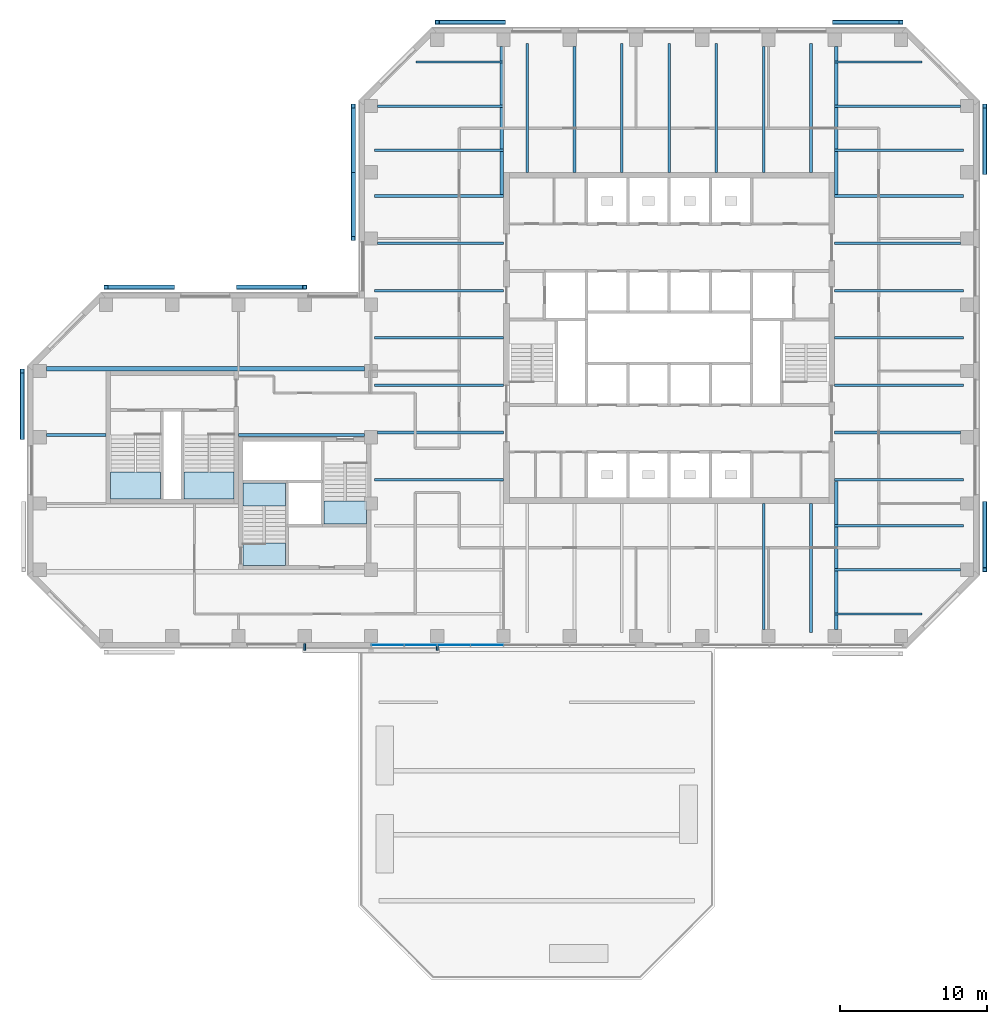
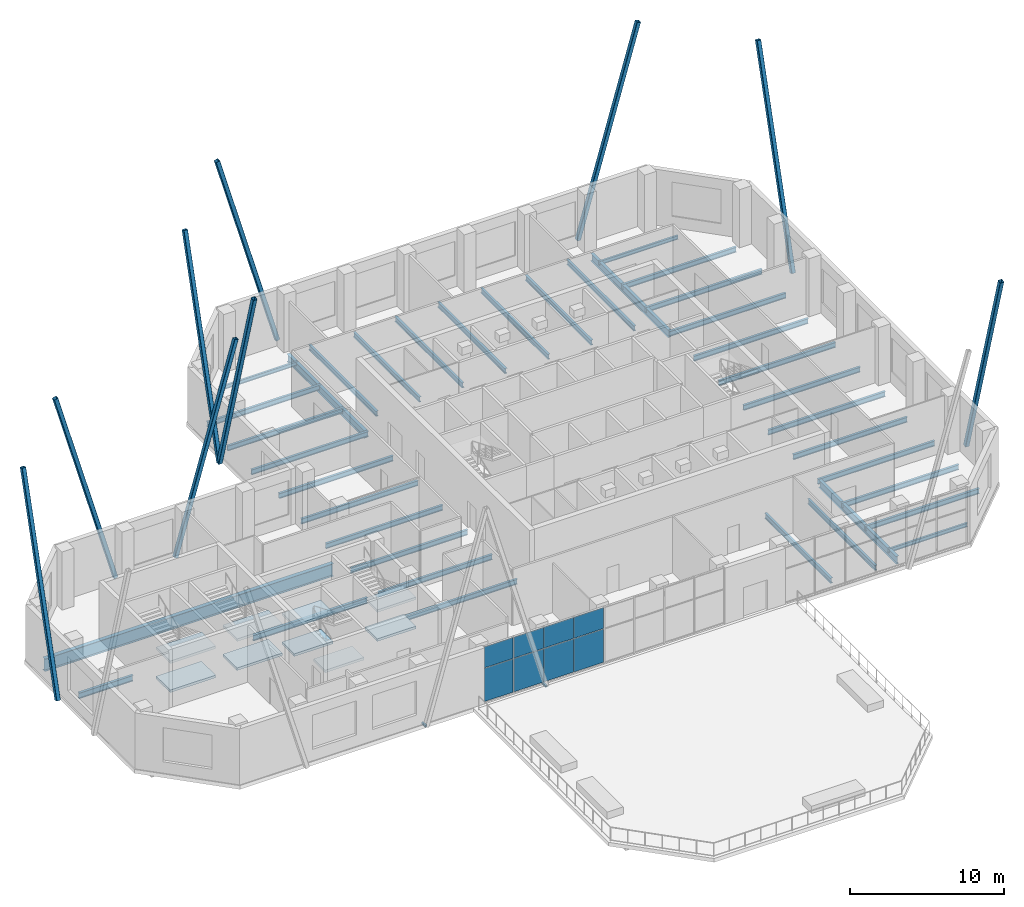
# One storey, part 5 of 14: 40 beams, 9 members, 9 slabs, 8 plates, 5 elements without a shape of their own.
"""IFC4 building model written with IfcOpenShell, lengths in metres."""

import ifcopenshell
import ifcopenshell.guid

model = None  # the IFC model being written
_history = None  # IfcOwnerHistory: only IFC2X3 demands one
_inside = {}  # id of a spatial element -> (the spatial element, [elements in it])
_under = {}  # id of a project, library or spatial element -> (it, [spatial elements below it])
_declared = {}  # id of a project -> (the project, [libraries it declares])
_typed = {}  # id of a type object -> (the type object, [elements of that type])
_made_of = {}  # id of a material, layer set ... -> (it, [elements and type objects made of it])


def new_model(schema):
    """Start an empty IFC model of exactly this schema.

    Asked for "IFC4X3", IfcOpenShell would pick the latest addendum, in which some entities
    have other attributes; the version numbers below select the first issue.
    IFC2X3 requires an IfcOwnerHistory on every rooted entity: one is made here for all.
    """
    global model, _history
    if schema == "IFC4X3":
        model = ifcopenshell.file(schema_version=(4, 3, 0, 0))
    else:
        model = ifcopenshell.file(schema=schema)
    _inside.clear()
    _under.clear()
    _declared.clear()
    _typed.clear()
    _made_of.clear()
    _history = None
    if model.schema == "IFC2X3":
        org = make("IfcOrganization", Name="unknown")
        user = make(
            "IfcPersonAndOrganization",
            ThePerson=make("IfcPerson", FamilyName="unknown"),
            TheOrganization=org,
        )
        app = make(
            "IfcApplication",
            ApplicationDeveloper=org,
            Version="unknown",
            ApplicationFullName="unknown",
            ApplicationIdentifier="unknown",
        )
        _history = make(
            "IfcOwnerHistory",
            OwningUser=user,
            OwningApplication=app,
            ChangeAction="ADDED",
            CreationDate=0,
        )
    return model


def make(cls, **values):
    """One entity of the class cls with the attributes given. An attribute that is None is left unset."""
    return model.create_entity(
        cls, **{name: value for name, value in values.items() if value is not None}
    )


def rooted(cls, **values):
    """An entity with a GlobalId (a new one), such as an element, a storey or a relation."""
    return make(cls, GlobalId=ifcopenshell.guid.new(), OwnerHistory=_history, **values)


def si_unit(unit_type, name, prefix=None):
    """IfcSIUnit, for example si_unit("LENGTHUNIT", "METRE", prefix="MILLI")."""
    return make("IfcSIUnit", UnitType=unit_type, Prefix=prefix, Name=name)


def assignment(units):
    """IfcUnitAssignment: the units of a project."""
    return None if units is None else make("IfcUnitAssignment", Units=units)


def point(xyz):
    """IfcCartesianPoint."""
    return None if xyz is None else make("IfcCartesianPoint", Coordinates=xyz)


def direction(xyz):
    """IfcDirection."""
    return None if xyz is None else make("IfcDirection", DirectionRatios=xyz)


def frame(location, z_axis=None, x_axis=None):
    """IfcAxis2Placement3D, a coordinate frame: its origin and axes. An axis left out is left unset."""
    return make(
        "IfcAxis2Placement3D",
        Location=point(location),
        Axis=direction(z_axis),
        RefDirection=direction(x_axis),
    )


def frame_2d(location, x_axis=None):
    """IfcAxis2Placement2D, a coordinate frame in the plane: its origin and x axis."""
    return make(
        "IfcAxis2Placement2D", Location=point(location), RefDirection=direction(x_axis)
    )


def origin():
    """The frame at (0, 0, 0) with its axes left unset."""
    return frame((0.0, 0.0, 0.0))


def origin_2d():
    """The frame at (0, 0) in the plane with its x axis left unset."""
    return frame_2d((0.0, 0.0))


def place(relative_to, where):
    """IfcLocalPlacement: puts the frame where relative to a parent placement (None: the world)."""
    return make(
        "IfcLocalPlacement", PlacementRelTo=relative_to, RelativePlacement=where
    )


def context(
    kind, dimensions, precision=None, world=None, true_north=None, identifier=None
):
    """IfcGeometricRepresentationContext, for example the 3D "Model" context."""
    return make(
        "IfcGeometricRepresentationContext",
        ContextIdentifier=identifier,
        ContextType=kind,
        CoordinateSpaceDimension=dimensions,
        Precision=precision,
        WorldCoordinateSystem=world,
        TrueNorth=true_north,
    )


def subcontext(parent, identifier, kind, view, scale=None):
    """IfcGeometricRepresentationSubContext, for example "Body" below "Model"."""
    return make(
        "IfcGeometricRepresentationSubContext",
        ContextIdentifier=identifier,
        ContextType=kind,
        ParentContext=parent,
        TargetScale=scale,
        TargetView=view,
    )


def project(units=None, contexts=None):
    """IfcProject with its units and contexts."""
    return rooted(
        "IfcProject",
        Name="project",
        RepresentationContexts=contexts,
        UnitsInContext=assignment(units),
    )


def spatial(cls, under=None, at=None, **own):
    """A site, building, storey or space (cls), placed at a placement, below another one or the project."""
    s = rooted(cls, ObjectPlacement=at, **own)
    if under is not None:
        _under.setdefault(under.id(), (under, []))[1].append(s)
    return s


def polyline(points):
    """IfcPolyline through the points."""
    return make("IfcPolyline", Points=[point(p) for p in points])


def profile(cls, at=None, kind="AREA", **sizes):
    """A parametric profile (cls). Its sizes go by their IFC names, for example OverallWidth=200.0."""
    return make(cls, ProfileType=kind, Position=at, **sizes)


def rectangle(**sizes):
    """IfcRectangleProfileDef."""
    return profile("IfcRectangleProfileDef", **sizes)


def hollow_rectangle(**sizes):
    """IfcRectangleHollowProfileDef."""
    return profile("IfcRectangleHollowProfileDef", **sizes)


def i_section(**sizes):
    """IfcIShapeProfileDef."""
    return profile("IfcIShapeProfileDef", **sizes)


def outline(outer, holes=None, kind="AREA"):
    """IfcArbitraryClosedProfileDef: a profile drawn as a closed curve; with holes, ...WithVoids."""
    if holes is None:
        return make("IfcArbitraryClosedProfileDef", ProfileType=kind, OuterCurve=outer)
    return make(
        "IfcArbitraryProfileDefWithVoids",
        ProfileType=kind,
        OuterCurve=outer,
        InnerCurves=holes,
    )


def extrude(swept, where, along, depth):
    """IfcExtrudedAreaSolid: the profile swept, set in the frame where, extruded along a direction by depth."""
    return make(
        "IfcExtrudedAreaSolid",
        SweptArea=swept,
        Position=where,
        ExtrudedDirection=direction(along),
        Depth=depth,
    )


def shape(context_of_items, identifier, shape_type, items):
    """IfcShapeRepresentation: the items that make up one representation, for example the "Body"."""
    return make(
        "IfcShapeRepresentation",
        ContextOfItems=context_of_items,
        RepresentationIdentifier=identifier,
        RepresentationType=shape_type,
        Items=items,
    )


def material(Name=None, Category=None):
    """IfcMaterial."""
    return make("IfcMaterial", Name=Name, Category=Category)


def layer(
    of_material, thickness, ventilated=None, Name=None, Category=None, Priority=None
):
    """IfcMaterialLayer: one layer of a wall or slab, of a material (None: an air gap)."""
    return make(
        "IfcMaterialLayer",
        Material=of_material,
        LayerThickness=thickness,
        IsVentilated=ventilated,
        Name=Name,
        Category=Category,
        Priority=Priority,
    )


def layer_set(layers, Name=None):
    """IfcMaterialLayerSet."""
    return make("IfcMaterialLayerSet", MaterialLayers=layers, LayerSetName=Name)


def constituent(of_material, Name=None, Category=None, fraction=None):
    """IfcMaterialConstituent: one of the materials an element consists of."""
    return make(
        "IfcMaterialConstituent",
        Name=Name,
        Material=of_material,
        Fraction=fraction,
        Category=Category,
    )


def constituent_set(constituents=None, Name=None):
    """IfcMaterialConstituentSet."""
    return make(
        "IfcMaterialConstituentSet", Name=Name, MaterialConstituents=constituents
    )


def material_profile(
    of_material, cross_section, Name=None, Category=None, Priority=None
):
    """IfcMaterialProfile: a cross section and its material."""
    return make(
        "IfcMaterialProfile",
        Name=Name,
        Material=of_material,
        Profile=cross_section,
        Priority=Priority,
        Category=Category,
    )


def profile_set(profiles, Name=None, composite=None):
    """IfcMaterialProfileSet."""
    return make(
        "IfcMaterialProfileSet",
        Name=Name,
        MaterialProfiles=profiles,
        CompositeProfile=composite,
    )


def made_of(thing, what):
    """Note that an element or type object is made of a material, layer set ...; save() writes the relation."""
    if what is not None:
        _made_of.setdefault(what.id(), (what, []))[1].append(thing)
    return thing


def type_object(cls, material=None, **own):
    """A type object (cls), such as IfcWallType, which elements share."""
    return made_of(rooted(cls, **own), material)


def element(
    cls,
    number,
    at=None,
    inside=None,
    cuts=None,
    type_object=None,
    material=None,
    context=None,
    identifier="Body",
    shape_type=None,
    held_by="IfcProductDefinitionShape",
    body=None,
    shapes=None,
    **own,
):
    """One element of the class cls, such as IfcWall. Its Tag is "e" and its number.

    at: its placement. inside: the storey or other place that contains it. cuts: it is an
    opening in that element (IfcRelVoidsElement). A single representation is given by context,
    identifier, shape_type and body (its items); several are given by shapes. held_by: the class
    of the entity that holds the representations. save() writes the other relations.
    """
    e = rooted(cls, Tag="e%d" % number, ObjectPlacement=at, **own)
    if body is not None:
        shapes = [shape(context, identifier, shape_type, body)]
    if shapes is not None:
        e.Representation = make(held_by, Representations=shapes)
    if inside is not None:
        _inside.setdefault(inside.id(), (inside, []))[1].append(e)
    if cuts is not None:
        rooted(
            "IfcRelVoidsElement", RelatingBuildingElement=cuts, RelatedOpeningElement=e
        )
    if type_object is not None:
        _typed.setdefault(type_object.id(), (type_object, []))[1].append(e)
    return made_of(e, material)


def aggregate(whole, parts):
    """IfcRelAggregates: a whole, such as a stair, and the parts it consists of."""
    return rooted("IfcRelAggregates", RelatingObject=whole, RelatedObjects=parts)


def save(model, path):
    """Write the relations noted so far, then the file.

    IfcRelAggregates (storeys below a building ...), IfcRelContainedInSpatialStructure (elements
    in a storey), IfcRelDefinesByType, IfcRelAssociatesMaterial and IfcRelDeclares: one each for
    every whole, place, type object, material and project.
    """
    for whole, parts in _under.values():
        aggregate(whole, parts)
    for where, things in _inside.values():
        rooted(
            "IfcRelContainedInSpatialStructure",
            RelatedElements=things,
            RelatingStructure=where,
        )
    for kind, things in _typed.values():
        rooted("IfcRelDefinesByType", RelatedObjects=things, RelatingType=kind)
    for what, things in _made_of.values():
        rooted("IfcRelAssociatesMaterial", RelatedObjects=things, RelatingMaterial=what)
    for by, libraries in _declared.values():
        rooted("IfcRelDeclares", RelatingContext=by, RelatedDefinitions=libraries)
    model.write(path)


model = new_model("IFC4")

# Units and contexts
model_context = context("Model", 3, precision=1e-05, world=origin(), true_north=direction((0.0, 1.0)))
body_context = subcontext(model_context, "Body", "Model", "MODEL_VIEW")
ifc_project = project(units=[si_unit("LENGTHUNIT", "METRE"), si_unit("AREAUNIT", "SQUARE_METRE"), si_unit("VOLUMEUNIT", "CUBIC_METRE"), si_unit("PLANEANGLEUNIT", "RADIAN"), si_unit("MASSUNIT", "GRAM", prefix="KILO")], contexts=[model_context])

# Site, building, storey
site_placement = place(None, origin())
site = spatial("IfcSite", under=ifc_project, at=site_placement, CompositionType="ELEMENT")
building_placement = place(site_placement, origin())
building = spatial("IfcBuilding", under=site, at=building_placement, Name="Quoin Convention Tower", CompositionType="ELEMENT")
storey_placement = place(building_placement, frame((0.0, 0.0, 143.10009765625)))
storey = spatial("IfcBuildingStorey", under=building, at=storey_placement, Name="L37", CompositionType="ELEMENT", Elevation=143.10009765625)

# Beams
ifc_material_1 = material(Name="Steel Grade 300", Category="steel")
ifc_material_profile_1 = material_profile(ifc_material_1, i_section(OverallWidth=0.300048828125, OverallDepth=1.0, WebThickness=0.01611328125, FlangeThickness=0.02001953125, at=origin_2d()), Name="1000WB215")
ifc_profile_set_1 = profile_set([ifc_material_profile_1], Name="Steel Grade 300")
beam_type_1 = type_object("IfcBeamType", Name="1000WB215", PredefinedType="BEAM", material=ifc_profile_set_1)
beam_1_placement = place(storey_placement, frame((13.949951171875, 58.64990234375, -0.650146484375), z_axis=(1.0, 0.0, 0.0), x_axis=(0.0, 1.0, 0.0)))
element("IfcBeam", 1, at=beam_1_placement, inside=storey, type_object=beam_type_1, Name="gir-L37-ST2-4-0", PredefinedType="BEAM", context=body_context, shape_type="SweptSolid", body=[
    extrude(i_section(OverallWidth=0.300048828125, OverallDepth=1.0, WebThickness=0.01611328125, FlangeThickness=0.02001953125, at=origin_2d()), origin(), (0.0, 0.0, 1.0), 21.60009765625),
])
ifc_material_2 = material(Name="Steel C450L0", Category="steel")
ifc_material_profile_2 = material_profile(ifc_material_2, hollow_rectangle(XDim=0.14990234375, YDim=0.14990234375, WallThickness=0.008056640625, InnerFilletRadius=0.011962890625, OuterFilletRadius=0.02001953125, at=origin_2d()), Name="150x150x8.0SHS")
ifc_profile_set_2 = profile_set([ifc_material_profile_2], Name="Steel C450L0")
beam_type_2 = type_object("IfcBeamType", Name="150x150x8.0SHS", PredefinedType="BEAM", material=ifc_profile_set_2)
for number, where, z_axis, x_axis, name in (
    (2, (31.5, 39.97509765625, -0.0751953125), (0.0, -1.0, 0.0), (1.0, 0.0, 0.0), "brk-lo-L37-31500_40500-36000_40500"),
    (3, (40.5, 39.97509765625, -0.0751953125), (0.0, -1.0, 0.0), (1.0, 0.0, 0.0), "brk-lo-L37-36000_40500-40500_40500"),
):
    element("IfcBeam", number, at=place(storey_placement, frame(where, z_axis=z_axis, x_axis=x_axis)), inside=storey, type_object=beam_type_2, Name=name, PredefinedType="BEAM", context=body_context, shape_type="SweptSolid", body=[
        extrude(hollow_rectangle(XDim=0.14990234375, YDim=0.14990234375, WallThickness=0.008056640625, InnerFilletRadius=0.011962890625, OuterFilletRadius=0.02001953125, at=origin_2d()), origin(), (0.0, 0.0, 1.0), 0.47509765625),
    ])
ifc_material_profile_3 = material_profile(ifc_material_1, i_section(OverallWidth=0.14892578125, OverallDepth=0.298095703125, WebThickness=0.005615234375, FlangeThickness=0.008056640625, FilletRadius=0.012939453125, at=origin_2d()), Name="310UB32.0")
ifc_profile_set_3 = profile_set([ifc_material_profile_3], Name="Steel Grade 300")
beam_type_3 = type_object("IfcBeamType", Name="310UB32.0", PredefinedType="BEAM", material=ifc_profile_set_3)
for number, where, z_axis, x_axis, name in (
    (4, (67.5, 42.0, -0.299072265625), (1.0, 0.0, 0.0), (0.0, 1.0, 0.0), "bm-L37-T1SE0"),
    (5, (39.072265625, 79.5, -0.299072265625), (1.0, 0.0, 0.0), (0.0, 1.0, 0.0), "bm-L37-T1NW0"),
    (6, (67.5, 79.5, -0.299072265625), (1.0, 0.0, 0.0), (0.0, 1.0, 0.0), "bm-L37-T1NE0"),
):
    element("IfcBeam", number, at=place(storey_placement, frame(where, z_axis=z_axis, x_axis=x_axis)), inside=storey, type_object=beam_type_3, Name=name, PredefinedType="BEAM", context=body_context, shape_type="SweptSolid", body=[
        extrude(i_section(OverallWidth=0.14892578125, OverallDepth=0.298095703125, WebThickness=0.005615234375, FlangeThickness=0.008056640625, FilletRadius=0.012939453125, at=origin_2d()), origin(), (0.0, 0.0, 1.0), 5.927734375),
    ])
ifc_material_profile_4 = material_profile(ifc_material_1, i_section(OverallWidth=0.177978515625, OverallDepth=0.403076171875, WebThickness=0.007568359375, FlangeThickness=0.010986328125, FilletRadius=0.011474609375, at=origin_2d()), Name="410UB53.7")
ifc_profile_set_4 = profile_set([ifc_material_profile_4], Name="Steel Grade 300")
beam_type_4 = type_object("IfcBeamType", Name="410UB53.7", PredefinedType="BEAM", material=ifc_profile_set_4)
beam_2_placement = place(storey_placement, frame((36.25, 51.107177734375, -0.3515625), z_axis=(1.0, 0.0, 0.0), x_axis=(0.0, 1.0, 0.0)))
element("IfcBeam", 7, at=beam_2_placement, inside=storey, type_object=beam_type_4, Name="bm-L37-T1W0", PredefinedType="BEAM", context=body_context, shape_type="SweptSolid", body=[
    extrude(i_section(OverallWidth=0.177978515625, OverallDepth=0.403076171875, WebThickness=0.007568359375, FlangeThickness=0.010986328125, FilletRadius=0.011474609375, at=origin_2d()), origin(), (0.0, 0.0, 1.0), 8.75),
])
beam_3_placement = place(storey_placement, frame((36.449951171875, 54.3212890625, -0.3515625), z_axis=(1.0, 0.0, 0.0), x_axis=(0.0, 1.0, 0.0)))
element("IfcBeam", 8, at=beam_3_placement, inside=storey, type_object=beam_type_4, Name="bm-L37-T1W1", PredefinedType="BEAM", context=body_context, shape_type="SweptSolid", body=[
    extrude(i_section(OverallWidth=0.177978515625, OverallDepth=0.403076171875, WebThickness=0.007568359375, FlangeThickness=0.010986328125, FilletRadius=0.011474609375, at=origin_2d()), origin(), (0.0, 0.0, 1.0), 8.550048828125),
])
for number, where, z_axis, x_axis, name in (
    (9, (36.25, 57.53564453125, -0.3515625), (1.0, 0.0, 0.0), (0.0, 1.0, 0.0), "bm-L37-T1W2"),
    (10, (36.25, 60.75, -0.3515625), (1.0, 0.0, 0.0), (0.0, 1.0, 0.0), "bm-L37-T1W3"),
    (11, (36.25, 63.96435546875, -0.3515625), (1.0, 0.0, 0.0), (0.0, 1.0, 0.0), "bm-L37-T1W4"),
):
    element("IfcBeam", number, at=place(storey_placement, frame(where, z_axis=z_axis, x_axis=x_axis)), inside=storey, type_object=beam_type_4, Name=name, PredefinedType="BEAM", context=body_context, shape_type="SweptSolid", body=[
        extrude(i_section(OverallWidth=0.177978515625, OverallDepth=0.403076171875, WebThickness=0.007568359375, FlangeThickness=0.010986328125, FilletRadius=0.011474609375, at=origin_2d()), origin(), (0.0, 0.0, 1.0), 8.75),
    ])
beam_4_placement = place(storey_placement, frame((36.449951171875, 67.1787109375, -0.3515625), z_axis=(1.0, 0.0, 0.0), x_axis=(0.0, 1.0, 0.0)))
element("IfcBeam", 12, at=beam_4_placement, inside=storey, type_object=beam_type_4, Name="bm-L37-T1W5", PredefinedType="BEAM", context=body_context, shape_type="SweptSolid", body=[
    extrude(i_section(OverallWidth=0.177978515625, OverallDepth=0.403076171875, WebThickness=0.007568359375, FlangeThickness=0.010986328125, FilletRadius=0.011474609375, at=origin_2d()), origin(), (0.0, 0.0, 1.0), 8.550048828125),
])
for number, where, z_axis, x_axis, name in (
    (13, (36.25, 70.392822265625, -0.3515625), (1.0, 0.0, 0.0), (0.0, 1.0, 0.0), "bm-L37-T1W6"),
    (14, (67.5, 51.107177734375, -0.3515625), (1.0, 0.0, 0.0), (0.0, 1.0, 0.0), "bm-L37-T1E0"),
):
    element("IfcBeam", number, at=place(storey_placement, frame(where, z_axis=z_axis, x_axis=x_axis)), inside=storey, type_object=beam_type_4, Name=name, PredefinedType="BEAM", context=body_context, shape_type="SweptSolid", body=[
        extrude(i_section(OverallWidth=0.177978515625, OverallDepth=0.403076171875, WebThickness=0.007568359375, FlangeThickness=0.010986328125, FilletRadius=0.011474609375, at=origin_2d()), origin(), (0.0, 0.0, 1.0), 8.75),
    ])
beam_5_placement = place(storey_placement, frame((67.5, 54.3212890625, -0.3515625), z_axis=(1.0, 0.0, 0.0), x_axis=(0.0, 1.0, 0.0)))
element("IfcBeam", 15, at=beam_5_placement, inside=storey, type_object=beam_type_4, Name="bm-L37-T1E1", PredefinedType="BEAM", context=body_context, shape_type="SweptSolid", body=[
    extrude(i_section(OverallWidth=0.177978515625, OverallDepth=0.403076171875, WebThickness=0.007568359375, FlangeThickness=0.010986328125, FilletRadius=0.011474609375, at=origin_2d()), origin(), (0.0, 0.0, 1.0), 8.550048828125),
])
for number, where, z_axis, x_axis, name in (
    (16, (67.5, 57.53564453125, -0.3515625), (1.0, 0.0, 0.0), (0.0, 1.0, 0.0), "bm-L37-T1E2"),
    (17, (67.5, 60.75, -0.3515625), (1.0, 0.0, 0.0), (0.0, 1.0, 0.0), "bm-L37-T1E3"),
    (18, (67.5, 63.96435546875, -0.3515625), (1.0, 0.0, 0.0), (0.0, 1.0, 0.0), "bm-L37-T1E4"),
):
    element("IfcBeam", number, at=place(storey_placement, frame(where, z_axis=z_axis, x_axis=x_axis)), inside=storey, type_object=beam_type_4, Name=name, PredefinedType="BEAM", context=body_context, shape_type="SweptSolid", body=[
        extrude(i_section(OverallWidth=0.177978515625, OverallDepth=0.403076171875, WebThickness=0.007568359375, FlangeThickness=0.010986328125, FilletRadius=0.011474609375, at=origin_2d()), origin(), (0.0, 0.0, 1.0), 8.75),
    ])
beam_6_placement = place(storey_placement, frame((67.5, 67.1787109375, -0.3515625), z_axis=(1.0, 0.0, 0.0), x_axis=(0.0, 1.0, 0.0)))
element("IfcBeam", 19, at=beam_6_placement, inside=storey, type_object=beam_type_4, Name="bm-L37-T1E5", PredefinedType="BEAM", context=body_context, shape_type="SweptSolid", body=[
    extrude(i_section(OverallWidth=0.177978515625, OverallDepth=0.403076171875, WebThickness=0.007568359375, FlangeThickness=0.010986328125, FilletRadius=0.011474609375, at=origin_2d()), origin(), (0.0, 0.0, 1.0), 8.550048828125),
])
beam_7_placement = place(storey_placement, frame((67.5, 70.392822265625, -0.3515625), z_axis=(1.0, 0.0, 0.0), x_axis=(0.0, 1.0, 0.0)))
element("IfcBeam", 20, at=beam_7_placement, inside=storey, type_object=beam_type_4, Name="bm-L37-T1E6", PredefinedType="BEAM", context=body_context, shape_type="SweptSolid", body=[
    extrude(i_section(OverallWidth=0.177978515625, OverallDepth=0.403076171875, WebThickness=0.007568359375, FlangeThickness=0.010986328125, FilletRadius=0.011474609375, at=origin_2d()), origin(), (0.0, 0.0, 1.0), 8.75),
])
beam_8_placement = place(storey_placement, frame((62.6787109375, 40.949951171875, -0.3515625), z_axis=(0.0, 1.0, 0.0), x_axis=(-1.0, 0.0, 0.0)))
element("IfcBeam", 21, at=beam_8_placement, inside=storey, type_object=beam_type_4, Name="bm-L37-T1S5", PredefinedType="BEAM", context=body_context, shape_type="SweptSolid", body=[
    extrude(i_section(OverallWidth=0.177978515625, OverallDepth=0.403076171875, WebThickness=0.007568359375, FlangeThickness=0.010986328125, FilletRadius=0.011474609375, at=origin_2d()), origin(), (0.0, 0.0, 1.0), 8.550048828125),
])
for number, where, z_axis, x_axis, name in (
    (22, (65.892822265625, 40.75, -0.3515625), (0.0, 1.0, 0.0), (-1.0, 0.0, 0.0), "bm-L37-T1S6"),
    (23, (46.607177734375, 72.0, -0.3515625), (0.0, 1.0, 0.0), (-1.0, 0.0, 0.0), "bm-L37-T1N0"),
):
    element("IfcBeam", number, at=place(storey_placement, frame(where, z_axis=z_axis, x_axis=x_axis)), inside=storey, type_object=beam_type_4, Name=name, PredefinedType="BEAM", context=body_context, shape_type="SweptSolid", body=[
        extrude(i_section(OverallWidth=0.177978515625, OverallDepth=0.403076171875, WebThickness=0.007568359375, FlangeThickness=0.010986328125, FilletRadius=0.011474609375, at=origin_2d()), origin(), (0.0, 0.0, 1.0), 8.75),
    ])
beam_9_placement = place(storey_placement, frame((49.8212890625, 72.0, -0.3515625), z_axis=(0.0, 1.0, 0.0), x_axis=(-1.0, 0.0, 0.0)))
element("IfcBeam", 24, at=beam_9_placement, inside=storey, type_object=beam_type_4, Name="bm-L37-T1N1", PredefinedType="BEAM", context=body_context, shape_type="SweptSolid", body=[
    extrude(i_section(OverallWidth=0.177978515625, OverallDepth=0.403076171875, WebThickness=0.007568359375, FlangeThickness=0.010986328125, FilletRadius=0.011474609375, at=origin_2d()), origin(), (0.0, 0.0, 1.0), 8.550048828125),
])
for number, where, z_axis, x_axis, name in (
    (25, (53.03564453125, 72.0, -0.3515625), (0.0, 1.0, 0.0), (-1.0, 0.0, 0.0), "bm-L37-T1N2"),
    (26, (56.25, 72.0, -0.3515625), (0.0, 1.0, 0.0), (-1.0, 0.0, 0.0), "bm-L37-T1N3"),
    (27, (59.46435546875, 72.0, -0.3515625), (0.0, 1.0, 0.0), (-1.0, 0.0, 0.0), "bm-L37-T1N4"),
):
    element("IfcBeam", number, at=place(storey_placement, frame(where, z_axis=z_axis, x_axis=x_axis)), inside=storey, type_object=beam_type_4, Name=name, PredefinedType="BEAM", context=body_context, shape_type="SweptSolid", body=[
        extrude(i_section(OverallWidth=0.177978515625, OverallDepth=0.403076171875, WebThickness=0.007568359375, FlangeThickness=0.010986328125, FilletRadius=0.011474609375, at=origin_2d()), origin(), (0.0, 0.0, 1.0), 8.75),
    ])
beam_10_placement = place(storey_placement, frame((62.6787109375, 72.0, -0.3515625), z_axis=(0.0, 1.0, 0.0), x_axis=(-1.0, 0.0, 0.0)))
element("IfcBeam", 28, at=beam_10_placement, inside=storey, type_object=beam_type_4, Name="bm-L37-T1N5", PredefinedType="BEAM", context=body_context, shape_type="SweptSolid", body=[
    extrude(i_section(OverallWidth=0.177978515625, OverallDepth=0.403076171875, WebThickness=0.007568359375, FlangeThickness=0.010986328125, FilletRadius=0.011474609375, at=origin_2d()), origin(), (0.0, 0.0, 1.0), 8.550048828125),
])
beam_11_placement = place(storey_placement, frame((65.892822265625, 72.0, -0.3515625), z_axis=(0.0, 1.0, 0.0), x_axis=(-1.0, 0.0, 0.0)))
element("IfcBeam", 29, at=beam_11_placement, inside=storey, type_object=beam_type_4, Name="bm-L37-T1N6", PredefinedType="BEAM", context=body_context, shape_type="SweptSolid", body=[
    extrude(i_section(OverallWidth=0.177978515625, OverallDepth=0.403076171875, WebThickness=0.007568359375, FlangeThickness=0.010986328125, FilletRadius=0.011474609375, at=origin_2d()), origin(), (0.0, 0.0, 1.0), 8.75),
])
beam_12_placement = place(storey_placement, frame((67.5, 45.0, -0.3515625), z_axis=(1.0, 0.0, 0.0), x_axis=(0.0, 1.0, 0.0)))
element("IfcBeam", 30, at=beam_12_placement, inside=storey, type_object=beam_type_4, Name="bm-L37-T1SE1", PredefinedType="BEAM", context=body_context, shape_type="SweptSolid", body=[
    extrude(i_section(OverallWidth=0.177978515625, OverallDepth=0.403076171875, WebThickness=0.007568359375, FlangeThickness=0.010986328125, FilletRadius=0.011474609375, at=origin_2d()), origin(), (0.0, 0.0, 1.0), 8.550048828125),
])
beam_13_placement = place(storey_placement, frame((67.5, 48.0, -0.3515625), z_axis=(1.0, 0.0, 0.0), x_axis=(0.0, 1.0, 0.0)))
element("IfcBeam", 31, at=beam_13_placement, inside=storey, type_object=beam_type_4, Name="bm-L37-T1SE2", PredefinedType="BEAM", context=body_context, shape_type="SweptSolid", body=[
    extrude(i_section(OverallWidth=0.177978515625, OverallDepth=0.403076171875, WebThickness=0.007568359375, FlangeThickness=0.010986328125, FilletRadius=0.011474609375, at=origin_2d()), origin(), (0.0, 0.0, 1.0), 8.75),
])
beam_14_placement = place(storey_placement, frame((36.449951171875, 76.5, -0.3515625), z_axis=(1.0, 0.0, 0.0), x_axis=(0.0, 1.0, 0.0)))
element("IfcBeam", 32, at=beam_14_placement, inside=storey, type_object=beam_type_4, Name="bm-L37-T1NW1", PredefinedType="BEAM", context=body_context, shape_type="SweptSolid", body=[
    extrude(i_section(OverallWidth=0.177978515625, OverallDepth=0.403076171875, WebThickness=0.007568359375, FlangeThickness=0.010986328125, FilletRadius=0.011474609375, at=origin_2d()), origin(), (0.0, 0.0, 1.0), 8.550048828125),
])
beam_15_placement = place(storey_placement, frame((36.25, 73.5, -0.3515625), z_axis=(1.0, 0.0, 0.0), x_axis=(0.0, 1.0, 0.0)))
element("IfcBeam", 33, at=beam_15_placement, inside=storey, type_object=beam_type_4, Name="bm-L37-T1NW2", PredefinedType="BEAM", context=body_context, shape_type="SweptSolid", body=[
    extrude(i_section(OverallWidth=0.177978515625, OverallDepth=0.403076171875, WebThickness=0.007568359375, FlangeThickness=0.010986328125, FilletRadius=0.011474609375, at=origin_2d()), origin(), (0.0, 0.0, 1.0), 8.75),
])
beam_16_placement = place(storey_placement, frame((67.5, 76.5, -0.3515625), z_axis=(1.0, 0.0, 0.0), x_axis=(0.0, 1.0, 0.0)))
element("IfcBeam", 34, at=beam_16_placement, inside=storey, type_object=beam_type_4, Name="bm-L37-T1NE1", PredefinedType="BEAM", context=body_context, shape_type="SweptSolid", body=[
    extrude(i_section(OverallWidth=0.177978515625, OverallDepth=0.403076171875, WebThickness=0.007568359375, FlangeThickness=0.010986328125, FilletRadius=0.011474609375, at=origin_2d()), origin(), (0.0, 0.0, 1.0), 8.550048828125),
])
beam_17_placement = place(storey_placement, frame((67.5, 73.5, -0.3515625), z_axis=(1.0, 0.0, 0.0), x_axis=(0.0, 1.0, 0.0)))
element("IfcBeam", 35, at=beam_17_placement, inside=storey, type_object=beam_type_4, Name="bm-L37-T1NE2", PredefinedType="BEAM", context=body_context, shape_type="SweptSolid", body=[
    extrude(i_section(OverallWidth=0.177978515625, OverallDepth=0.403076171875, WebThickness=0.007568359375, FlangeThickness=0.010986328125, FilletRadius=0.011474609375, at=origin_2d()), origin(), (0.0, 0.0, 1.0), 8.75),
])
ifc_material_profile_5 = material_profile(ifc_material_1, i_section(OverallWidth=0.18994140625, OverallDepth=0.4541015625, WebThickness=0.008544921875, FlangeThickness=0.0126953125, FilletRadius=0.011474609375, at=origin_2d()), Name="460UB67.1")
ifc_profile_set_5 = profile_set([ifc_material_profile_5], Name="Steel Grade 300")
beam_type_5 = type_object("IfcBeamType", Name="460UB67.1", PredefinedType="BEAM", material=ifc_profile_set_5)
beam_18_placement = place(storey_placement, frame((13.949951171875, 54.14990234375, -0.377197265625), z_axis=(1.0, 0.0, 0.0), x_axis=(0.0, 1.0, 0.0)))
element("IfcBeam", 36, at=beam_18_placement, inside=storey, type_object=beam_type_5, Name="gir-L37-ST2-3-0", PredefinedType="BEAM", context=body_context, shape_type="SweptSolid", body=[
    extrude(i_section(OverallWidth=0.18994140625, OverallDepth=0.4541015625, WebThickness=0.008544921875, FlangeThickness=0.0126953125, FilletRadius=0.011474609375, at=origin_2d()), origin(), (0.0, 0.0, 1.0), 4.050048828125),
])
beam_19_placement = place(storey_placement, frame((27.0, 54.14990234375, -0.377197265625), z_axis=(1.0, 0.0, 0.0), x_axis=(0.0, 1.0, 0.0)))
element("IfcBeam", 37, at=beam_19_placement, inside=storey, type_object=beam_type_5, Name="gir-L37-ST2-3-1", PredefinedType="BEAM", context=body_context, shape_type="SweptSolid", body=[
    extrude(i_section(OverallWidth=0.18994140625, OverallDepth=0.4541015625, WebThickness=0.008544921875, FlangeThickness=0.0126953125, FilletRadius=0.011474609375, at=origin_2d()), origin(), (0.0, 0.0, 1.0), 8.550048828125),
])
ifc_material_profile_6 = material_profile(ifc_material_1, i_section(OverallWidth=0.22802734375, OverallDepth=0.60205078125, WebThickness=0.010498046875, FlangeThickness=0.014892578125, FilletRadius=0.013916015625, at=origin_2d()), Name="610UB101")
ifc_profile_set_6 = profile_set([ifc_material_profile_6], Name="Steel Grade 300")
beam_type_6 = type_object("IfcBeamType", Name="610UB101", PredefinedType="BEAM", material=ifc_profile_set_6)
for number, where, z_axis, x_axis, name in (
    (38, (67.614013671875, 40.949951171875, -0.451171875), (0.0, 1.0, 0.0), (-1.0, 0.0, 0.0), "gir-L37-T1SE"),
    (39, (44.885986328125, 80.550048828125, -0.451171875), (0.0, -1.0, 0.0), (1.0, 0.0, 0.0), "gir-L37-T1NW"),
    (40, (67.614013671875, 80.550048828125, -0.451171875), (0.0, -1.0, 0.0), (1.0, 0.0, 0.0), "gir-L37-T1NE"),
):
    element("IfcBeam", number, at=place(storey_placement, frame(where, z_axis=z_axis, x_axis=x_axis)), inside=storey, type_object=beam_type_6, Name=name, PredefinedType="BEAM", context=body_context, shape_type="SweptSolid", body=[
        extrude(i_section(OverallWidth=0.22802734375, OverallDepth=0.60205078125, WebThickness=0.010498046875, FlangeThickness=0.014892578125, FilletRadius=0.013916015625, at=origin_2d()), origin(), (0.0, 0.0, 1.0), 10.052734375),
    ])

# Members
ifc_material_profile_7 = material_profile(ifc_material_2, hollow_rectangle(XDim=0.300048828125, YDim=0.300048828125, WallThickness=0.012451171875, InnerFilletRadius=0.018798828125, OuterFilletRadius=0.03125, at=origin_2d()), Name="300x300x12.5SHS")
ifc_profile_set_7 = profile_set([ifc_material_profile_7], Name="Steel C450L0")
member_type = type_object("IfcMemberType", Name="Exposed brace 300x300x12.5SHS", PredefinedType="BRACE", material=ifc_profile_set_7)
for number, where, z_axis, x_axis, name in (
    (41, (12.300048828125, 54.0, -0.0751953125), (0.0, 0.275526545915, 0.961293463255), (-1.0, 0.0, 0.0), "brc-L37-13500_58500-13500_54000"),
    (42, (27.0, 64.199951171875, -0.0751953125), (0.275526545915, 0.0, 0.961293463255), (0.0, 1.0, 0.0), "brc-L37-31500_63000-27000_63000"),
    (43, (22.5, 64.199951171875, -0.0751953125), (-0.275526545915, 0.0, 0.961293463255), (0.0, -1.0, 0.0), "brc-L37-22500_63000-18000_63000"),
    (44, (34.800048828125, 72.0, -0.0751953125), (0.0, 0.275526545915, 0.961293463255), (-1.0, 0.0, 0.0), "brc-L37-36000_76500-36000_72000"),
    (45, (34.800048828125, 72.0, -0.0751953125), (0.0, -0.275526545915, 0.961293463255), (1.0, 0.0, 0.0), "brc-L37-36000_72000-36000_67500"),
    (46, (67.5, 82.199951171875, -0.0751953125), (0.275526545915, 0.0, 0.961293463255), (0.0, 1.0, 0.0), "brc-L37-72000_81000-67500_81000"),
    (47, (45.0, 82.199951171875, -0.0751953125), (-0.275526545915, 0.0, 0.961293463255), (0.0, -1.0, 0.0), "brc-L37-45000_81000-40500_81000"),
    (48, (77.699951171875, 49.5, -0.0751953125), (0.0, -0.275526545915, 0.961293463255), (1.0, 0.0, 0.0), "brc-L37-76500_45000-76500_49500"),
    (49, (77.699951171875, 72.0, -0.0751953125), (0.0, 0.275526545915, 0.961293463255), (-1.0, 0.0, 0.0), "brc-L37-76500_72000-76500_76500"),
):
    element("IfcMember", number, at=place(storey_placement, frame(where, z_axis=z_axis, x_axis=x_axis)), inside=storey, type_object=member_type, Name=name, PredefinedType="BRACE", context=body_context, shape_type="SweptSolid", body=[
        extrude(hollow_rectangle(XDim=0.300048828125, YDim=0.300048828125, WallThickness=0.012451171875, InnerFilletRadius=0.018798828125, OuterFilletRadius=0.03125, at=origin_2d()), origin(), (0.0, 0.0, 1.0), 16.332275390625),
    ])

# Curtain wall, plates
ifc_material_3 = material(Name="Aluminium", Category="aluminium")
ifc_constituent_1 = constituent(ifc_material_3, Name="Frame")
ifc_material_4 = material(Name="Insulated glass", Category="glass")
ifc_constituent_2 = constituent(ifc_material_4, Name="Glazing")
ifc_constituent_set = constituent_set(constituents=[ifc_constituent_1, ifc_constituent_2], Name="Aluminium")
curtain_wall_type = type_object("IfcCurtainWallType", Name="Sky lobby glazing system", PredefinedType="NOTDEFINED", material=ifc_constituent_set)
curtain_wall_placement = place(storey_placement, origin())
curtain_wall = element("IfcCurtainWall", 50, at=curtain_wall_placement, inside=storey, type_object=curtain_wall_type, Name="cw-SKY-L37-36000_39875", PredefinedType="NOTDEFINED")
ifc_layer_1 = layer(ifc_material_4, 0.035888671875)
ifc_layer_set_1 = layer_set([ifc_layer_1], Name="Insulated glass")
plate_type_1 = type_object("IfcPlateType", Name="Sky lobby glazing glazing unit 36", PredefinedType="CURTAIN_PANEL", material=ifc_layer_set_1)
plate_1_placement = place(storey_placement, frame((37.137451171875, 39.875, 0.0498046875), z_axis=(0.0, 0.0, 1.0), x_axis=(1.0, 0.0, 0.0)))
plate_1 = element("IfcPlate", 51, at=plate_1_placement, type_object=plate_type_1, Name="CW3 panel 1.1", PredefinedType="CURTAIN_PANEL", context=body_context, shape_type="SweptSolid", body=[
    extrude(rectangle(XDim=2.175048828125, YDim=0.035888671875, at=origin_2d()), origin(), (0.0, 0.0, 1.0), 2.625),
])
plate_2_placement = place(storey_placement, frame((37.137451171875, 39.875, 2.724853515625), z_axis=(0.0, 0.0, 1.0), x_axis=(1.0, 0.0, 0.0)))
plate_2 = element("IfcPlate", 52, at=plate_2_placement, type_object=plate_type_1, Name="CW3 panel 1.2", PredefinedType="CURTAIN_PANEL", context=body_context, shape_type="SweptSolid", body=[
    extrude(rectangle(XDim=2.175048828125, YDim=0.035888671875, at=origin_2d()), origin(), (0.0, 0.0, 1.0), 1.64990234375),
])
plate_3_placement = place(storey_placement, frame((41.625, 39.875, 0.0498046875), z_axis=(0.0, 0.0, 1.0), x_axis=(1.0, 0.0, 0.0)))
plate_3 = element("IfcPlate", 53, at=plate_3_placement, type_object=plate_type_1, Name="CW3 panel 3.1", PredefinedType="CURTAIN_PANEL", context=body_context, shape_type="SweptSolid", body=[
    extrude(rectangle(XDim=2.199951171875, YDim=0.035888671875, at=origin_2d()), origin(), (0.0, 0.0, 1.0), 2.625),
])
plate_4_placement = place(storey_placement, frame((41.625, 39.875, 2.724853515625), z_axis=(0.0, 0.0, 1.0), x_axis=(1.0, 0.0, 0.0)))
plate_4 = element("IfcPlate", 54, at=plate_4_placement, type_object=plate_type_1, Name="CW3 panel 3.2", PredefinedType="CURTAIN_PANEL", context=body_context, shape_type="SweptSolid", body=[
    extrude(rectangle(XDim=2.199951171875, YDim=0.035888671875, at=origin_2d()), origin(), (0.0, 0.0, 1.0), 1.64990234375),
])
plate_5_placement = place(storey_placement, frame((43.875, 39.875, 0.0498046875), z_axis=(0.0, 0.0, 1.0), x_axis=(1.0, 0.0, 0.0)))
plate_5 = element("IfcPlate", 55, at=plate_5_placement, type_object=plate_type_1, Name="CW3 panel 4.1", PredefinedType="CURTAIN_PANEL", context=body_context, shape_type="SweptSolid", body=[
    extrude(rectangle(XDim=2.199951171875, YDim=0.035888671875, at=origin_2d()), origin(), (0.0, 0.0, 1.0), 2.625),
])
plate_6_placement = place(storey_placement, frame((43.875, 39.875, 2.724853515625), z_axis=(0.0, 0.0, 1.0), x_axis=(1.0, 0.0, 0.0)))
plate_6 = element("IfcPlate", 56, at=plate_6_placement, type_object=plate_type_1, Name="CW3 panel 4.2", PredefinedType="CURTAIN_PANEL", context=body_context, shape_type="SweptSolid", body=[
    extrude(rectangle(XDim=2.199951171875, YDim=0.035888671875, at=origin_2d()), origin(), (0.0, 0.0, 1.0), 1.64990234375),
])
ifc_material_5 = material(Name="Spandrel glass", Category="glass")
ifc_layer_2 = layer(ifc_material_5, 0.035888671875)
ifc_layer_set_2 = layer_set([ifc_layer_2], Name="Spandrel glass")
plate_type_2 = type_object("IfcPlateType", Name="Sky lobby glazing spandrel unit 36", PredefinedType="CURTAIN_PANEL", material=ifc_layer_set_2)
plate_7_placement = place(storey_placement, frame((39.375, 39.875, 0.0498046875), z_axis=(0.0, 0.0, 1.0), x_axis=(1.0, 0.0, 0.0)))
plate_7 = element("IfcPlate", 57, at=plate_7_placement, type_object=plate_type_2, Name="CW3 panel 2.1", PredefinedType="CURTAIN_PANEL", context=body_context, shape_type="SweptSolid", body=[
    extrude(rectangle(XDim=2.199951171875, YDim=0.035888671875, at=origin_2d()), origin(), (0.0, 0.0, 1.0), 2.625),
])
plate_8_placement = place(storey_placement, frame((39.375, 39.875, 2.724853515625), z_axis=(0.0, 0.0, 1.0), x_axis=(1.0, 0.0, 0.0)))
plate_8 = element("IfcPlate", 58, at=plate_8_placement, type_object=plate_type_2, Name="CW3 panel 2.2", PredefinedType="CURTAIN_PANEL", context=body_context, shape_type="SweptSolid", body=[
    extrude(rectangle(XDim=2.199951171875, YDim=0.035888671875, at=origin_2d()), origin(), (0.0, 0.0, 1.0), 1.64990234375),
])
aggregate(curtain_wall, [plate_1, plate_2, plate_7, plate_8, plate_3, plate_4, plate_5, plate_6])

# Stair, slabs
ifc_material_6 = material(Name="Concrete C40", Category="concrete")
stair_type_1 = type_object("IfcStairType", Name="Exit stair four-flight 1350", PredefinedType="DOUBLE_RETURN_STAIR", material=ifc_material_6)
stair_1_placement = place(storey_placement, origin())
stair_1 = element("IfcStair", 59, at=stair_1_placement, inside=storey, type_object=stair_type_1, Name="SD3 L37", PredefinedType="DOUBLE_RETURN_STAIR")
ifc_layer_3 = layer(ifc_material_6, 0.199951171875)
ifc_layer_set_3 = layer_set([ifc_layer_3], Name="Concrete C40")
slab_type = type_object("IfcSlabType", Name="Stair landing 200", PredefinedType="LANDING", material=ifc_layer_set_3)
slab_1_placement = place(storey_placement, frame((0.0, 0.0, 0.949951171875)))
slab_1 = element("IfcSlab", 60, at=slab_1_placement, type_object=slab_type, Name="ST3 landing 1", PredefinedType="LANDING", context=body_context, shape_type="SweptSolid", body=[
    extrude(outline(polyline([(27.300048828125, 49.320068359375), (30.199951171875, 49.320068359375), (30.199951171875, 50.89990234375), (27.300048828125, 50.89990234375), (27.300048828125, 49.320068359375)])), origin(), (0.0, 0.0, 1.0), 0.199951171875),
])
slab_2_placement = place(storey_placement, frame((0.0, 0.0, 2.099853515625)))
slab_2 = element("IfcSlab", 61, at=slab_2_placement, type_object=slab_type, Name="ST3 landing 2", PredefinedType="LANDING", context=body_context, shape_type="SweptSolid", body=[
    extrude(outline(polyline([(27.300048828125, 45.300048828125), (30.199951171875, 45.300048828125), (30.199951171875, 46.800048828125), (27.300048828125, 46.800048828125), (27.300048828125, 45.300048828125)])), origin(), (0.0, 0.0, 1.0), 0.199951171875),
])
slab_3_placement = place(storey_placement, frame((0.0, 0.0, 3.25)))
slab_3 = element("IfcSlab", 62, at=slab_3_placement, type_object=slab_type, Name="ST3 landing 3", PredefinedType="LANDING", context=body_context, shape_type="SweptSolid", body=[
    extrude(outline(polyline([(27.300048828125, 49.320068359375), (30.199951171875, 49.320068359375), (30.199951171875, 50.89990234375), (27.300048828125, 50.89990234375), (27.300048828125, 49.320068359375)])), origin(), (0.0, 0.0, 1.0), 0.199951171875),
])
aggregate(stair_1, [slab_1, slab_2, slab_3])

stair_2_placement = place(storey_placement, origin())
stair_2 = element("IfcStair", 63, at=stair_2_placement, inside=storey, type_object=stair_type_1, Name="SD4 L37", PredefinedType="DOUBLE_RETURN_STAIR")
slab_4_placement = place(storey_placement, frame((0.0, 0.0, 0.949951171875)))
slab_4 = element("IfcSlab", 64, at=slab_4_placement, type_object=slab_type, Name="ST4 landing 1", PredefinedType="LANDING", context=body_context, shape_type="SweptSolid", body=[
    extrude(outline(polyline([(35.699951171875, 49.679931640625), (32.800048828125, 49.679931640625), (32.800048828125, 48.10009765625), (35.699951171875, 48.10009765625), (35.699951171875, 49.679931640625)])), origin(), (0.0, 0.0, 1.0), 0.199951171875),
])
slab_5_placement = place(storey_placement, frame((0.0, 0.0, 3.25)))
slab_5 = element("IfcSlab", 65, at=slab_5_placement, type_object=slab_type, Name="ST4 landing 3", PredefinedType="LANDING", context=body_context, shape_type="SweptSolid", body=[
    extrude(outline(polyline([(35.699951171875, 49.679931640625), (32.800048828125, 49.679931640625), (32.800048828125, 48.10009765625), (35.699951171875, 48.10009765625), (35.699951171875, 49.679931640625)])), origin(), (0.0, 0.0, 1.0), 0.199951171875),
])
aggregate(stair_2, [slab_4, slab_5])

stair_type_2 = type_object("IfcStairType", Name="Exit stair four-flight 1600", PredefinedType="DOUBLE_RETURN_STAIR", material=ifc_material_6)
stair_3_placement = place(storey_placement, origin())
stair_3 = element("IfcStair", 66, at=stair_3_placement, inside=storey, type_object=stair_type_2, Name="SD11 L37", PredefinedType="DOUBLE_RETURN_STAIR")
slab_6_placement = place(storey_placement, frame((0.0, 0.0, 0.949951171875)))
slab_6 = element("IfcSlab", 67, at=slab_6_placement, type_object=slab_type, Name="ST11 landing 1", PredefinedType="LANDING", context=body_context, shape_type="SweptSolid", body=[
    extrude(outline(polyline([(21.699951171875, 51.6298828125), (18.300048828125, 51.6298828125), (18.300048828125, 49.800048828125), (21.699951171875, 49.800048828125), (21.699951171875, 51.6298828125)])), origin(), (0.0, 0.0, 1.0), 0.199951171875),
])
slab_7_placement = place(storey_placement, frame((0.0, 0.0, 3.25)))
slab_7 = element("IfcSlab", 68, at=slab_7_placement, type_object=slab_type, Name="ST11 landing 3", PredefinedType="LANDING", context=body_context, shape_type="SweptSolid", body=[
    extrude(outline(polyline([(21.699951171875, 51.6298828125), (18.300048828125, 51.6298828125), (18.300048828125, 49.800048828125), (21.699951171875, 49.800048828125), (21.699951171875, 51.6298828125)])), origin(), (0.0, 0.0, 1.0), 0.199951171875),
])
aggregate(stair_3, [slab_6, slab_7])

stair_4_placement = place(storey_placement, origin())
stair_4 = element("IfcStair", 69, at=stair_4_placement, inside=storey, type_object=stair_type_2, Name="SD12 L37", PredefinedType="DOUBLE_RETURN_STAIR")
slab_8_placement = place(storey_placement, frame((0.0, 0.0, 0.949951171875)))
slab_8 = element("IfcSlab", 70, at=slab_8_placement, type_object=slab_type, Name="ST12 landing 1", PredefinedType="LANDING", context=body_context, shape_type="SweptSolid", body=[
    extrude(outline(polyline([(26.699951171875, 51.6298828125), (23.300048828125, 51.6298828125), (23.300048828125, 49.800048828125), (26.699951171875, 49.800048828125), (26.699951171875, 51.6298828125)])), origin(), (0.0, 0.0, 1.0), 0.199951171875),
])
slab_9_placement = place(storey_placement, frame((0.0, 0.0, 3.25)))
slab_9 = element("IfcSlab", 71, at=slab_9_placement, type_object=slab_type, Name="ST12 landing 3", PredefinedType="LANDING", context=body_context, shape_type="SweptSolid", body=[
    extrude(outline(polyline([(26.699951171875, 51.6298828125), (23.300048828125, 51.6298828125), (23.300048828125, 49.800048828125), (26.699951171875, 49.800048828125), (26.699951171875, 51.6298828125)])), origin(), (0.0, 0.0, 1.0), 0.199951171875),
])
aggregate(stair_4, [slab_8, slab_9])

save(model, "model.ifc")
